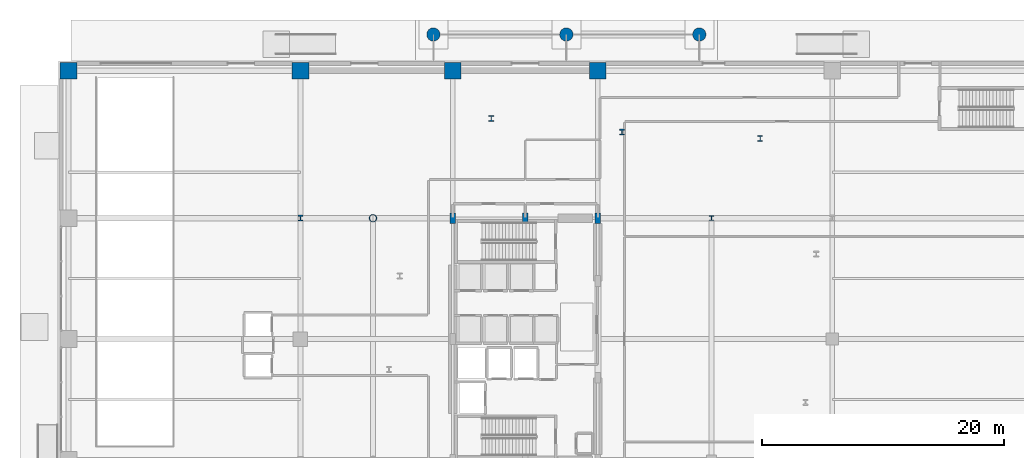
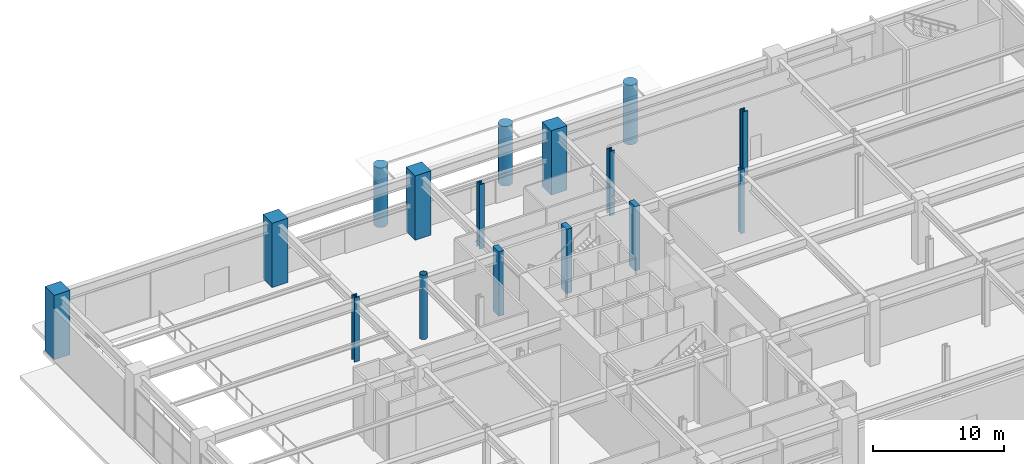
# One storey, part 3 of 31: 16 columns.
"""IFC4 building model written with IfcOpenShell, lengths in metres."""

from ifc_helpers import new_model, si_unit, direction, frame, origin, origin_2d, place, context, subcontext, project, spatial, rectangle, circle, hollow_circle, i_section, extrude, material, material_profile, profile_set, type_object, element, save


model = new_model("IFC4")

# Units and contexts
model_context = context("Model", 3, precision=1e-05, world=origin(), true_north=direction((0.0, 1.0)))
body_context = subcontext(model_context, "Body", "Model", "MODEL_VIEW")
ifc_project = project(units=[si_unit("LENGTHUNIT", "METRE"), si_unit("AREAUNIT", "SQUARE_METRE"), si_unit("VOLUMEUNIT", "CUBIC_METRE"), si_unit("PLANEANGLEUNIT", "RADIAN"), si_unit("MASSUNIT", "GRAM", prefix="KILO")], contexts=[model_context])

# Site, building, storey
site_placement = place(None, origin())
site = spatial("IfcSite", under=ifc_project, at=site_placement, CompositionType="ELEMENT")
building_placement = place(site_placement, origin())
building = spatial("IfcBuilding", under=site, at=building_placement, Name="Soratama Intermodal Tower", CompositionType="ELEMENT")
storey_placement = place(building_placement, origin())
storey = spatial("IfcBuildingStorey", under=building, at=storey_placement, Name="L00", CompositionType="ELEMENT", Elevation=0.0)

# Columns
ifc_material_1 = material(Name="Structural steel ASTM A992 Grade 50", Category="steel")
ifc_material_profile_1 = material_profile(ifc_material_1, i_section(OverallWidth=0.39404296875, OverallDepth=0.375, WebThickness=0.017333984375, FlangeThickness=0.027587890625, FilletRadius=0.0380859375, at=origin_2d()), Name="W14X145")
ifc_profile_set_1 = profile_set([ifc_material_profile_1], Name="Structural steel ASTM A992 Grade 50")
column_type_1 = type_object("IfcColumnType", Name="COL-INT-W14X145", PredefinedType="COLUMN", material=ifc_profile_set_1)
column_1_placement = place(storey_placement, frame((54.0, 35.0, 0.0), z_axis=(0.0, 0.0, 1.0), x_axis=(1.0, 0.0, 0.0)))
element("IfcColumn", 1, at=column_1_placement, inside=storey, type_object=column_type_1, Name="L00 Station Column P26", PredefinedType="COLUMN", context=body_context, shape_type="SweptSolid", body=[
    extrude(i_section(OverallWidth=0.39404296875, OverallDepth=0.375, WebThickness=0.017333984375, FlangeThickness=0.027587890625, FilletRadius=0.0380859375, at=origin_2d()), origin(), (0.0, 0.0, 1.0), 6.0),
])
ifc_material_2 = material(Name="Concrete f'c 56 MPa", Category="concrete")
ifc_material_profile_2 = material_profile(ifc_material_2, circle(Radius=0.550048828125, at=origin_2d()), Name="RCCOL1100")
ifc_profile_set_2 = profile_set([ifc_material_profile_2], Name="Concrete f'c 56 MPa")
column_type_2 = type_object("IfcColumnType", Name="COL-PLAZA-RCCOL", PredefinedType="COLUMN", material=ifc_profile_set_2)
for number, where, z_axis, x_axis, name in (
    (2, (31.0, 50.199951171875, -0.35009765625), (0.0, 0.0, 1.0), (1.0, 0.0, 0.0), "Plaza Entrance Column 1"),
    (3, (42.0, 50.199951171875, -0.35009765625), (0.0, 0.0, 1.0), (1.0, 0.0, 0.0), "Plaza Entrance Column 2"),
    (4, (53.0, 50.199951171875, -0.35009765625), (0.0, 0.0, 1.0), (1.0, 0.0, 0.0), "Plaza Entrance Column 3"),
):
    element("IfcColumn", number, at=place(storey_placement, frame(where, z_axis=z_axis, x_axis=x_axis)), inside=storey, type_object=column_type_2, Name=name, PredefinedType="COLUMN", context=body_context, shape_type="SweptSolid", body=[
        extrude(circle(Radius=0.550048828125, at=origin_2d()), origin(), (0.0, 0.0, 1.0), 5.550048828125),
    ])
ifc_material_3 = material(Name="Concrete f'c 56 MPa", Category="concrete")
ifc_material_profile_3 = material_profile(ifc_material_3, rectangle(XDim=1.39990234375, YDim=1.39990234375, at=origin_2d()), Name="RC1400X1400")
ifc_profile_set_3 = profile_set([ifc_material_profile_3], Name="Concrete f'c 56 MPa")
column_type_3 = type_object("IfcColumnType", Name="COL-POD-EXT-RC1400", PredefinedType="COLUMN", material=ifc_profile_set_3)
for number, where, z_axis, x_axis, name in (
    (5, (0.800048828125, 47.199951171875, 0.0), (0.0, 0.0, 1.0), (1.0, 0.0, 0.0), "L00 Station Column P13"),
    (6, (20.0, 47.199951171875, 0.0), (0.0, 0.0, 1.0), (1.0, 0.0, 0.0), "L00 Station Column P14"),
    (7, (32.60009765625, 47.199951171875, 0.0), (0.0, 0.0, 1.0), (1.0, 0.0, 0.0), "L00 Station Column P23"),
    (8, (44.60009765625, 47.199951171875, 0.0), (0.0, 0.0, 1.0), (1.0, 0.0, 0.0), "L00 Station Column P24"),
):
    element("IfcColumn", number, at=place(storey_placement, frame(where, z_axis=z_axis, x_axis=x_axis)), inside=storey, type_object=column_type_3, Name=name, PredefinedType="COLUMN", context=body_context, shape_type="SweptSolid", body=[
        extrude(rectangle(XDim=1.39990234375, YDim=1.39990234375, at=origin_2d()), origin(), (0.0, 0.0, 1.0), 6.0),
    ])
ifc_material_4 = material(Name="Structural steel ASTM A992 Grade 50", Category="steel")
ifc_material_profile_4 = material_profile(ifc_material_4, i_section(OverallWidth=0.431884765625, OverallDepth=0.498046875, WebThickness=0.0556640625, FlangeThickness=0.0888671875, FilletRadius=0.0380859375, at=origin_2d()), Name="W14X500")
ifc_profile_set_4 = profile_set([ifc_material_profile_4], Name="Structural steel ASTM A992 Grade 50")
column_type_4 = type_object("IfcColumnType", Name="COL-POD-W14X500", PredefinedType="COLUMN", material=ifc_profile_set_4)
for number, where, z_axis, x_axis, name in (
    (9, (20.0, 35.0, 0.0), (0.0, 0.0, 1.0), (1.0, 0.0, 0.0), "L00 Station Column P10"),
    (10, (58.031982421875, 41.594970703125, 0.0), (0.0, 0.0, 1.0), (1.0, 0.0, 0.0), "L00 Station Column P30"),
    (11, (46.60107421875, 42.116943359375, 0.0), (0.0, 0.0, 1.0), (1.0, 0.0, 0.0), "L00 Station Column P31"),
    (12, (35.7958984375, 43.264892578125, 0.0), (0.0, 0.0, 1.0), (1.0, 0.0, 0.0), "L00 Station Column P32"),
):
    element("IfcColumn", number, at=place(storey_placement, frame(where, z_axis=z_axis, x_axis=x_axis)), inside=storey, type_object=column_type_4, Name=name, PredefinedType="COLUMN", context=body_context, shape_type="SweptSolid", body=[
        extrude(i_section(OverallWidth=0.431884765625, OverallDepth=0.498046875, WebThickness=0.0556640625, FlangeThickness=0.0888671875, FilletRadius=0.0380859375, at=origin_2d()), origin(), (0.0, 0.0, 1.0), 6.0),
    ])
ifc_material_5 = material(Name="Structural steel ASTM A500 Grade C", Category="steel")
ifc_material_profile_5 = material_profile(ifc_material_5, hollow_circle(Radius=0.304931640625, WallThickness=0.02197265625, at=origin_2d()), Name="CHS610X22")
ifc_profile_set_5 = profile_set([ifc_material_profile_5], Name="Structural steel ASTM A500 Grade C")
column_type_5 = type_object("IfcColumnType", Name="COL-POOL-CHS610", PredefinedType="COLUMN", material=ifc_profile_set_5)
column_2_placement = place(storey_placement, frame((26.0, 35.0, 0.0), z_axis=(0.0, 0.0, 1.0), x_axis=(1.0, 0.0, 0.0)))
element("IfcColumn", 13, at=column_2_placement, inside=storey, type_object=column_type_5, Name="L00 Station Column P28", PredefinedType="COLUMN", context=body_context, shape_type="SweptSolid", body=[
    extrude(hollow_circle(Radius=0.304931640625, WallThickness=0.02197265625, at=origin_2d()), origin(), (0.0, 0.0, 1.0), 6.0),
])
ifc_material_6 = material(Name="Concrete f'c 56 MPa", Category="concrete")
ifc_material_profile_6 = material_profile(ifc_material_6, rectangle(XDim=0.449951171875, YDim=0.89990234375, at=origin_2d()), Name="RC450X900")
ifc_profile_set_6 = profile_set([ifc_material_profile_6], Name="Concrete f'c 56 MPa")
column_type_6 = type_object("IfcColumnType", Name="PIL-CORE-450X900", PredefinedType="PILASTER", material=ifc_profile_set_6)
for number, where, z_axis, x_axis, name in (
    (14, (32.60009765625, 35.0, 0.0), (0.0, 0.0, 1.0), (1.0, 0.0, 0.0), "L00 Core Pilaster 3"),
    (15, (38.60009765625, 35.0, 0.0), (0.0, 0.0, 1.0), (1.0, 0.0, 0.0), "L00 Core Pilaster 5"),
    (16, (44.60009765625, 35.0, 0.0), (0.0, 0.0, 1.0), (1.0, 0.0, 0.0), "L00 Core Pilaster 9"),
):
    element("IfcColumn", number, at=place(storey_placement, frame(where, z_axis=z_axis, x_axis=x_axis)), inside=storey, type_object=column_type_6, Name=name, PredefinedType="PILASTER", context=body_context, shape_type="SweptSolid", body=[
        extrude(rectangle(XDim=0.449951171875, YDim=0.89990234375, at=origin_2d()), origin(), (0.0, 0.0, 1.0), 6.0),
    ])

save(model, "model.ifc")
